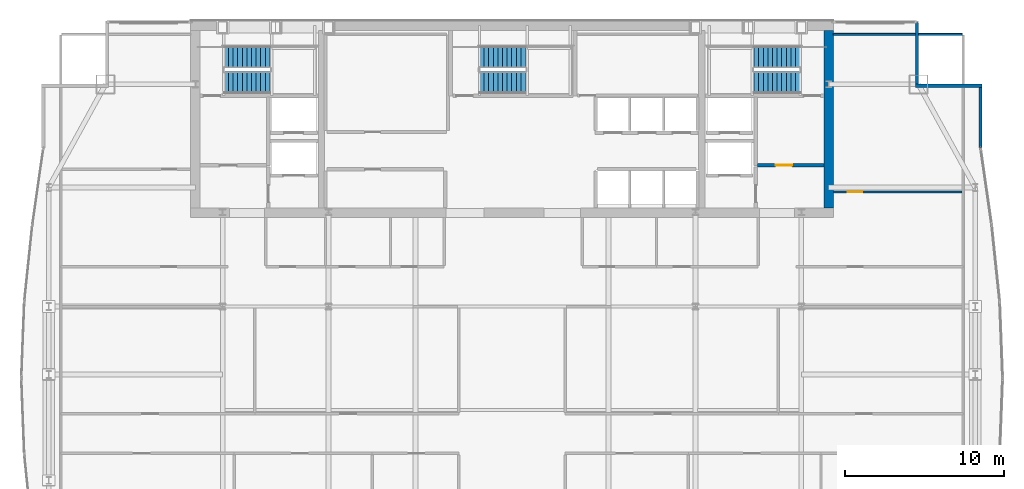
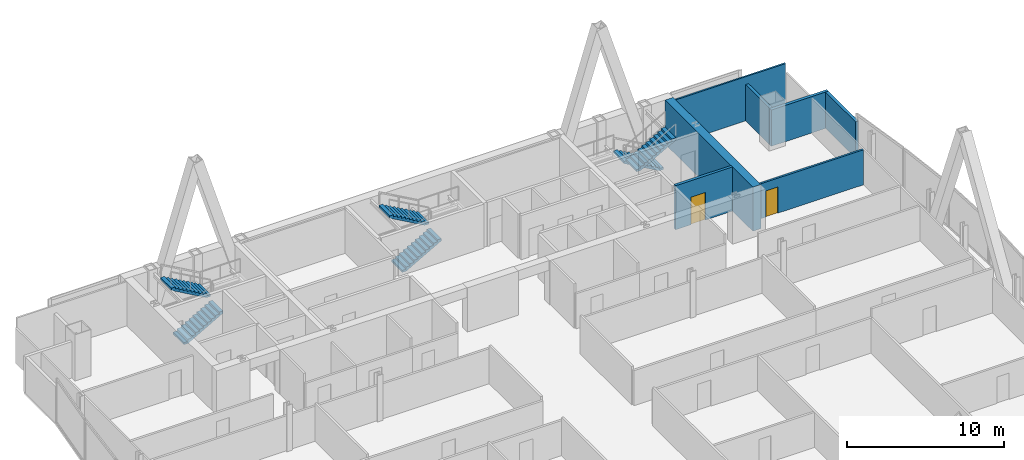
# One storey, part 30 of 32: 7 walls, 6 stair flights, 2 doors, 2 openings, 3 elements without a shape of their own.
"""IFC4 building model written with IfcOpenShell, lengths in metres."""

from ifc_helpers import new_model, si_unit, direction, frame, frame_2d, origin, place, context, subcontext, project, spatial, polyline, rectangle, outline, extrude, material, layer, layer_set, type_object, element, fill, aggregate, save


model = new_model("IFC4")

# Units and contexts
model_context = context("Model", 3, precision=1e-05, world=origin(), true_north=direction((0.0, 1.0)))
body_context = subcontext(model_context, "Body", "Model", "MODEL_VIEW")
ifc_project = project(units=[si_unit("LENGTHUNIT", "METRE"), si_unit("AREAUNIT", "SQUARE_METRE"), si_unit("VOLUMEUNIT", "CUBIC_METRE"), si_unit("PLANEANGLEUNIT", "RADIAN"), si_unit("MASSUNIT", "GRAM", prefix="KILO")], contexts=[model_context])

# Site, building, storey
site_placement = place(None, origin())
site = spatial("IfcSite", under=ifc_project, at=site_placement, CompositionType="ELEMENT")
building_placement = place(site_placement, origin())
building = spatial("IfcBuilding", under=site, at=building_placement, Name="Khoronbel Lancet Exchange", CompositionType="ELEMENT")
storey_placement = place(building_placement, frame((0.0, 0.0, 199.39990234375)))
storey = spatial("IfcBuildingStorey", under=building, at=storey_placement, Name="L50", CompositionType="ELEMENT", Elevation=199.39990234375)

# Walls
ifc_material_1 = material(Name="Concrete C60/75", Category="concrete")
ifc_layer_1 = layer(ifc_material_1, 0.60009765625, Name="Concrete C60/75")
ifc_layer_set_1 = layer_set([ifc_layer_1], Name="Concrete C60/75")
wall_type_1 = type_object("IfcWallType", Name="WL-CW3", PredefinedType="SHEAR", material=ifc_layer_set_1)
wall_1_placement = place(storey_placement, frame((56.39990234375, 53.10009765625, 0.0), z_axis=(0.0, 0.0, 1.0), x_axis=(0.0, -1.0, 0.0)))
element("IfcWall", 1, at=wall_1_placement, inside=storey, type_object=wall_type_1, Name="Level L50 rear core east shear wall", PredefinedType="SHEAR", context=body_context, shape_type="SweptSolid", body=[
    extrude(rectangle(XDim=11.2001953125, YDim=0.60009765625, at=frame_2d((5.60009765625, 0.0))), origin(), (0.0, 0.0, 1.0), 3.440185546875),
])
ifc_material_2 = material(Name="Precast concrete C40/50", Category="concrete")
ifc_layer_2 = layer(ifc_material_2, 0.25, Name="Precast concrete C40/50")
ifc_layer_set_2 = layer_set([ifc_layer_2], Name="Precast concrete C40/50")
wall_type_2 = type_object("IfcWallType", Name="WL-EXT250", PredefinedType="SOLIDWALL", material=ifc_layer_set_2)
wall_2_placement = place(storey_placement, frame((61.9599609375, 53.6298828125, 0.0), z_axis=(0.0, 0.0, 1.0), x_axis=(0.0, -1.0, 0.0)))
element("IfcWall", 2, at=wall_2_placement, inside=storey, type_object=wall_type_2, Name="Level L50 notched-corner limestone pier 14", PredefinedType="SOLIDWALL", context=body_context, shape_type="SweptSolid", body=[
    extrude(rectangle(XDim=3.909912109375, YDim=0.219970703125, at=frame_2d((1.955078125, 0.0))), origin(), (0.0, 0.0, 1.0), 2.830078125),
])
wall_3_placement = place(storey_placement, frame((61.85009765625, 49.610107421875, 0.0), z_axis=(0.0, 0.0, 1.0), x_axis=(1.0, 0.0, 0.0)))
element("IfcWall", 3, at=wall_3_placement, inside=storey, type_object=wall_type_2, Name="Level L50 notched-corner limestone pier 15", PredefinedType="SOLIDWALL", context=body_context, shape_type="SweptSolid", body=[
    extrude(rectangle(XDim=4.219970703125, YDim=0.219970703125, at=frame_2d((2.10986328125, 0.0))), origin(), (0.0, 0.0, 1.0), 2.830078125),
])
wall_4_placement = place(storey_placement, frame((65.9599609375, 49.5, 0.0), z_axis=(0.0, 0.0, 1.0), x_axis=(0.0, -1.0, 0.0)))
element("IfcWall", 4, at=wall_4_placement, inside=storey, type_object=wall_type_2, Name="Level L50 notched-corner limestone pier 16", PredefinedType="SOLIDWALL", context=body_context, shape_type="SweptSolid", body=[
    extrude(rectangle(XDim=3.826416015625, YDim=0.219970703125, at=frame_2d((1.9130859375, 0.0))), origin(), (0.0, 0.0, 1.0), 2.830078125),
])

# Wall, opening, door
ifc_material_3 = material(Name="Acoustic Metal-Stud & Mineral-Wool Gypsum Partition 120 mm", Category="gypsum")
ifc_layer_3 = layer(ifc_material_3, 0.1201171875, Name="Acoustic Metal-Stud & Mineral-Wool Gypsum Partition 120 mm")
ifc_layer_set_3 = layer_set([ifc_layer_3], Name="Acoustic Metal-Stud & Mineral-Wool Gypsum Partition 120 mm")
wall_type_3 = type_object("IfcWallType", Name="WL-PRT120", PredefinedType="PARTITIONING", material=ifc_layer_set_3)
wall_5_placement = place(storey_placement, frame((56.699951171875, 42.919921875, 0.0), z_axis=(0.0, 0.0, 1.0), x_axis=(1.0, 0.0, 0.0)))
wall_5 = element("IfcWall", 5, at=wall_5_placement, inside=storey, type_object=wall_type_3, Name="Level L50 interior partition PW-NE-H", PredefinedType="PARTITIONING", context=body_context, shape_type="SweptSolid", body=[
    extrude(rectangle(XDim=8.10498046875, YDim=0.14990234375, at=frame_2d((4.052490234375, 0.0))), origin(), (0.0, 0.0, 1.0), 2.72998046875),
])
opening_1_placement = place(wall_5_placement, frame((0.89990234375, 0.0, 0.0)))
opening_1 = element("IfcOpeningElement", 6, at=opening_1_placement, cuts=wall_5, Name="Opening D5", PredefinedType="OPENING", context=body_context, shape_type="SweptSolid", body=[
    extrude(rectangle(XDim=0.89990234375, YDim=2.050048828125, at=frame_2d((0.449951171875, 1.02490234375))), frame((0.0, 0.0849609375, 0.0), z_axis=(0.0, -1.0, 0.0), x_axis=(1.0, 0.0, 0.0)), (0.0, 0.0, 1.0), 0.169921875),
])
ifc_material_4 = material(Name="Acoustic Timber Pantry & Support Door", Category="wood")
door_type_1 = type_object("IfcDoorType", Name="DR-D5", OperationType="NOTDEFINED", PredefinedType="DOOR", material=ifc_material_4)
door_1_placement = place(opening_1_placement, origin())
door_1 = element("IfcDoor", 7, at=door_1_placement, inside=storey, type_object=door_type_1, Name="NE north room door L50-1", OperationType="SINGLE_SWING_RIGHT", OverallHeight=2.050048828125, OverallWidth=0.89990234375, PredefinedType="DOOR", context=body_context, shape_type="SweptSolid", body=[
    extrude(rectangle(XDim=0.89990234375, YDim=2.050048828125, at=frame_2d((0.449951171875, 1.02490234375))), frame((0.0, 0.02490234375, 0.0), z_axis=(0.0, -1.0, 0.0), x_axis=(1.0, 0.0, 0.0)), (0.0, 0.0, 1.0), 0.050048828125),
])
fill(opening_1, door_1)

# Wall
wall_6_placement = place(storey_placement, frame((56.699951171875, 52.840087890625, 0.0), z_axis=(0.0, 0.0, 1.0), x_axis=(1.0, 0.0, 0.0)))
element("IfcWall", 8, at=wall_6_placement, inside=storey, type_object=wall_type_3, Name="Level L50 interior partition PW-LIN-NE", PredefinedType="PARTITIONING", context=body_context, shape_type="SweptSolid", body=[
    extrude(rectangle(XDim=8.10498046875, YDim=0.1201171875, at=frame_2d((4.052490234375, 0.0))), origin(), (0.0, 0.0, 1.0), 3.440185546875),
])

# Wall, opening, door
ifc_material_5 = material(Name="Autoclaved Aerated Concrete Blockwork 200 mm", Category="masonry")
ifc_layer_4 = layer(ifc_material_5, 0.199951171875, Name="Autoclaved Aerated Concrete Blockwork 200 mm")
ifc_layer_set_4 = layer_set([ifc_layer_4], Name="Autoclaved Aerated Concrete Blockwork 200 mm")
wall_type_4 = type_object("IfcWallType", Name="WL-PRT200", PredefinedType="PARTITIONING", material=ifc_layer_set_4)
wall_7_placement = place(storey_placement, frame((51.89990234375, 44.60009765625, 0.0), z_axis=(0.0, 0.0, 1.0), x_axis=(1.0, 0.0, 0.0)))
wall_7 = element("IfcWall", 9, at=wall_7_placement, inside=storey, type_object=wall_type_4, Name="Level L50 interior partition CW-FFLE-S", PredefinedType="PARTITIONING", context=body_context, shape_type="SweptSolid", body=[
    extrude(rectangle(XDim=4.2001953125, YDim=0.199951171875, at=frame_2d((2.10009765625, 0.0))), origin(), (0.0, 0.0, 1.0), 3.440185546875),
])
opening_2_placement = place(wall_7_placement, frame((1.14990234375, 0.0, 0.0)))
opening_2 = element("IfcOpeningElement", 10, at=opening_2_placement, cuts=wall_7, Name="Opening FD1", PredefinedType="OPENING", context=body_context, shape_type="SweptSolid", body=[
    extrude(rectangle(XDim=1.050048828125, YDim=2.14990234375, at=frame_2d((0.52490234375, 1.074951171875))), frame((0.0, 0.10986328125, 0.0), z_axis=(0.0, -1.0, 0.0), x_axis=(1.0, 0.0, 0.0)), (0.0, 0.0, 1.0), 0.219970703125),
])
ifc_material_6 = material(Name="Fire-Rated Painted Steel Door Assembly", Category="steel")
door_type_2 = type_object("IfcDoorType", Name="DR-FD1", OperationType="NOTDEFINED", PredefinedType="DOOR", material=ifc_material_6)
door_2_placement = place(opening_2_placement, origin())
door_2 = element("IfcDoor", 11, at=door_2_placement, inside=storey, type_object=door_type_2, Name="East firefighting lobby FD90S door L50-1", OperationType="SINGLE_SWING_LEFT", OverallHeight=2.14990234375, OverallWidth=1.050048828125, PredefinedType="DOOR", context=body_context, shape_type="SweptSolid", body=[
    extrude(rectangle(XDim=1.050048828125, YDim=2.14990234375, at=frame_2d((0.52490234375, 1.074951171875))), frame((0.0, 0.02490234375, 0.0), z_axis=(0.0, -1.0, 0.0), x_axis=(1.0, 0.0, 0.0)), (0.0, 0.0, 1.0), 0.050048828125),
])
fill(opening_2, door_2)

# Stair, stair flights
ifc_material_7 = material(Name="Concrete C40/50", Category="concrete")
stair_type = type_object("IfcStairType", Name="STR-CORE150", PredefinedType="HALF_TURN_STAIR", material=ifc_material_7)
stair_1_placement = place(storey_placement, origin())
stair_1 = element("IfcStair", 12, at=stair_1_placement, inside=storey, type_object=stair_type, Name="L50 Protected Exit Stair ST1", PredefinedType="HALF_TURN_STAIR")
stair_flight_type = type_object("IfcStairFlightType", Name="STF-150", PredefinedType="STRAIGHT", material=ifc_material_7)
stair_flight_1_placement = place(storey_placement, frame((18.300048828125, 49.81005859375, 0.0), z_axis=(0.0, 0.0, 1.0), x_axis=(1.0, 0.0, 0.0)))
stair_flight_1 = element("IfcStairFlight", 13, at=stair_flight_1_placement, type_object=stair_flight_type, Name="ST1 flight 1", NumberOfRisers=11, NumberOfTreads=10, PredefinedType="STRAIGHT", RiserHeight=0.163636364, TreadLength=0.29, context=body_context, shape_type="SweptSolid", body=[
    extrude(outline(polyline([(0.0, 0.0), (0.0, 0.16357421875), (0.2900390625, 0.16357421875), (0.2900390625, 0.327392578125), (0.580078125, 0.327392578125), (0.580078125, 0.490966796875), (0.8701171875, 0.490966796875), (0.8701171875, 0.654541015625), (1.159912109375, 0.654541015625), (1.159912109375, 0.818115234375), (1.449951171875, 0.818115234375), (1.449951171875, 0.98193359375), (1.739990234375, 0.98193359375), (1.739990234375, 1.1455078125), (2.030029296875, 1.1455078125), (2.030029296875, 1.30908203125), (2.320068359375, 1.30908203125), (2.320068359375, 1.47265625), (2.610107421875, 1.47265625), (2.610107421875, 1.636474609375), (2.89990234375, 1.636474609375), (2.89990234375, 1.800048828125), (2.89990234375, 1.46435546875), (0.304931640625, 0.0), (0.0, 0.0)])), frame((0.0, 0.68994140625, 0.0), z_axis=(0.0, -1.0, 0.0), x_axis=(1.0, 0.0, 0.0)), (0.0, 0.0, 1.0), 1.3798828125),
])
stair_flight_2_placement = place(storey_placement, frame((21.199951171875, 51.409912109375, 1.800048828125), z_axis=(0.0, 0.0, 1.0), x_axis=(-1.0, 0.0, 0.0)))
stair_flight_2 = element("IfcStairFlight", 14, at=stair_flight_2_placement, type_object=stair_flight_type, Name="ST1 flight 2", NumberOfRisers=11, NumberOfTreads=10, PredefinedType="STRAIGHT", RiserHeight=0.163636364, TreadLength=0.29, context=body_context, shape_type="SweptSolid", body=[
    extrude(outline(polyline([(0.0, 0.0), (0.0, 0.16357421875), (0.2900390625, 0.16357421875), (0.2900390625, 0.327392578125), (0.580078125, 0.327392578125), (0.580078125, 0.490966796875), (0.8701171875, 0.490966796875), (0.8701171875, 0.654541015625), (1.159912109375, 0.654541015625), (1.159912109375, 0.818115234375), (1.449951171875, 0.818115234375), (1.449951171875, 0.98193359375), (1.739990234375, 0.98193359375), (1.739990234375, 1.1455078125), (2.030029296875, 1.1455078125), (2.030029296875, 1.30908203125), (2.320068359375, 1.30908203125), (2.320068359375, 1.47265625), (2.610107421875, 1.47265625), (2.610107421875, 1.636474609375), (2.89990234375, 1.636474609375), (2.89990234375, 1.800048828125), (2.89990234375, 1.46435546875), (0.304931640625, 0.0), (0.0, 0.0)])), frame((0.0, 0.68994140625, 0.0), z_axis=(0.0, -1.0, 0.0), x_axis=(1.0, 0.0, 0.0)), (0.0, 0.0, 1.0), 1.3798828125),
])
aggregate(stair_1, [stair_flight_1, stair_flight_2])

stair_2_placement = place(storey_placement, origin())
stair_2 = element("IfcStair", 15, at=stair_2_placement, inside=storey, type_object=stair_type, Name="L50 Protected Exit Stair ST2", PredefinedType="HALF_TURN_STAIR")
stair_flight_3_placement = place(storey_placement, frame((54.60009765625, 51.409912109375, 0.0), z_axis=(0.0, 0.0, 1.0), x_axis=(-1.0, 0.0, 0.0)))
stair_flight_3 = element("IfcStairFlight", 16, at=stair_flight_3_placement, type_object=stair_flight_type, Name="ST2 flight 1", NumberOfRisers=11, NumberOfTreads=10, PredefinedType="STRAIGHT", RiserHeight=0.163636364, TreadLength=0.29, context=body_context, shape_type="SweptSolid", body=[
    extrude(outline(polyline([(0.0, 0.0), (0.0, 0.16357421875), (0.2900390625, 0.16357421875), (0.2900390625, 0.327392578125), (0.580078125, 0.327392578125), (0.580078125, 0.490966796875), (0.8701171875, 0.490966796875), (0.8701171875, 0.654541015625), (1.159912109375, 0.654541015625), (1.159912109375, 0.818115234375), (1.449951171875, 0.818115234375), (1.449951171875, 0.98193359375), (1.739990234375, 0.98193359375), (1.739990234375, 1.1455078125), (2.030029296875, 1.1455078125), (2.030029296875, 1.30908203125), (2.320068359375, 1.30908203125), (2.320068359375, 1.47265625), (2.610107421875, 1.47265625), (2.610107421875, 1.636474609375), (2.89990234375, 1.636474609375), (2.89990234375, 1.800048828125), (2.89990234375, 1.46435546875), (0.304931640625, 0.0), (0.0, 0.0)])), frame((0.0, 0.68994140625, 0.0), z_axis=(0.0, -1.0, 0.0), x_axis=(1.0, 0.0, 0.0)), (0.0, 0.0, 1.0), 1.3798828125),
])
stair_flight_4_placement = place(storey_placement, frame((51.699951171875, 49.81005859375, 1.800048828125), z_axis=(0.0, 0.0, 1.0), x_axis=(1.0, 0.0, 0.0)))
stair_flight_4 = element("IfcStairFlight", 17, at=stair_flight_4_placement, type_object=stair_flight_type, Name="ST2 flight 2", NumberOfRisers=11, NumberOfTreads=10, PredefinedType="STRAIGHT", RiserHeight=0.163636364, TreadLength=0.29, context=body_context, shape_type="SweptSolid", body=[
    extrude(outline(polyline([(0.0, 0.0), (0.0, 0.16357421875), (0.2900390625, 0.16357421875), (0.2900390625, 0.327392578125), (0.580078125, 0.327392578125), (0.580078125, 0.490966796875), (0.8701171875, 0.490966796875), (0.8701171875, 0.654541015625), (1.159912109375, 0.654541015625), (1.159912109375, 0.818115234375), (1.449951171875, 0.818115234375), (1.449951171875, 0.98193359375), (1.739990234375, 0.98193359375), (1.739990234375, 1.1455078125), (2.030029296875, 1.1455078125), (2.030029296875, 1.30908203125), (2.320068359375, 1.30908203125), (2.320068359375, 1.47265625), (2.610107421875, 1.47265625), (2.610107421875, 1.636474609375), (2.89990234375, 1.636474609375), (2.89990234375, 1.800048828125), (2.89990234375, 1.46435546875), (0.304931640625, 0.0), (0.0, 0.0)])), frame((0.0, 0.68994140625, 0.0), z_axis=(0.0, -1.0, 0.0), x_axis=(1.0, 0.0, 0.0)), (0.0, 0.0, 1.0), 1.3798828125),
])
aggregate(stair_2, [stair_flight_3, stair_flight_4])

stair_3_placement = place(storey_placement, origin())
stair_3 = element("IfcStair", 18, at=stair_3_placement, inside=storey, type_object=stair_type, Name="L50 Protected Exit Stair ST3", PredefinedType="HALF_TURN_STAIR")
stair_flight_5_placement = place(storey_placement, frame((34.39990234375, 49.81005859375, 0.0), z_axis=(0.0, 0.0, 1.0), x_axis=(1.0, 0.0, 0.0)))
stair_flight_5 = element("IfcStairFlight", 19, at=stair_flight_5_placement, type_object=stair_flight_type, Name="ST3 flight 1", NumberOfRisers=11, NumberOfTreads=10, PredefinedType="STRAIGHT", RiserHeight=0.163636364, TreadLength=0.29, context=body_context, shape_type="SweptSolid", body=[
    extrude(outline(polyline([(0.0, 0.0), (0.0, 0.16357421875), (0.2900390625, 0.16357421875), (0.2900390625, 0.327392578125), (0.580078125, 0.327392578125), (0.580078125, 0.490966796875), (0.8701171875, 0.490966796875), (0.8701171875, 0.654541015625), (1.159912109375, 0.654541015625), (1.159912109375, 0.818115234375), (1.449951171875, 0.818115234375), (1.449951171875, 0.98193359375), (1.739990234375, 0.98193359375), (1.739990234375, 1.1455078125), (2.030029296875, 1.1455078125), (2.030029296875, 1.30908203125), (2.320068359375, 1.30908203125), (2.320068359375, 1.47265625), (2.610107421875, 1.47265625), (2.610107421875, 1.636474609375), (2.89990234375, 1.636474609375), (2.89990234375, 1.800048828125), (2.89990234375, 1.46435546875), (0.304931640625, 0.0), (0.0, 0.0)])), frame((0.0, 0.68994140625, 0.0), z_axis=(0.0, -1.0, 0.0), x_axis=(1.0, 0.0, 0.0)), (0.0, 0.0, 1.0), 1.3798828125),
])
stair_flight_6_placement = place(storey_placement, frame((37.300048828125, 51.409912109375, 1.800048828125), z_axis=(0.0, 0.0, 1.0), x_axis=(-1.0, 0.0, 0.0)))
stair_flight_6 = element("IfcStairFlight", 20, at=stair_flight_6_placement, type_object=stair_flight_type, Name="ST3 flight 2", NumberOfRisers=11, NumberOfTreads=10, PredefinedType="STRAIGHT", RiserHeight=0.163636364, TreadLength=0.29, context=body_context, shape_type="SweptSolid", body=[
    extrude(outline(polyline([(0.0, 0.0), (0.0, 0.16357421875), (0.2900390625, 0.16357421875), (0.2900390625, 0.327392578125), (0.580078125, 0.327392578125), (0.580078125, 0.490966796875), (0.8701171875, 0.490966796875), (0.8701171875, 0.654541015625), (1.159912109375, 0.654541015625), (1.159912109375, 0.818115234375), (1.449951171875, 0.818115234375), (1.449951171875, 0.98193359375), (1.739990234375, 0.98193359375), (1.739990234375, 1.1455078125), (2.030029296875, 1.1455078125), (2.030029296875, 1.30908203125), (2.320068359375, 1.30908203125), (2.320068359375, 1.47265625), (2.610107421875, 1.47265625), (2.610107421875, 1.636474609375), (2.89990234375, 1.636474609375), (2.89990234375, 1.800048828125), (2.89990234375, 1.46435546875), (0.304931640625, 0.0), (0.0, 0.0)])), frame((0.0, 0.68994140625, 0.0), z_axis=(0.0, -1.0, 0.0), x_axis=(1.0, 0.0, 0.0)), (0.0, 0.0, 1.0), 1.3798828125),
])
aggregate(stair_3, [stair_flight_5, stair_flight_6])

save(model, "model.ifc")
